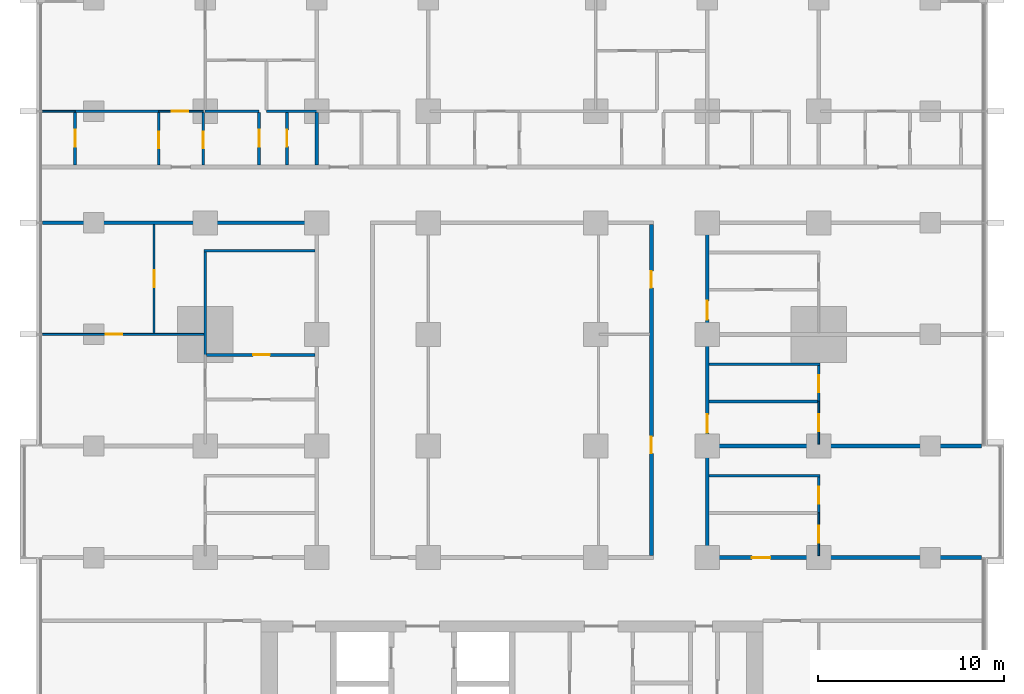
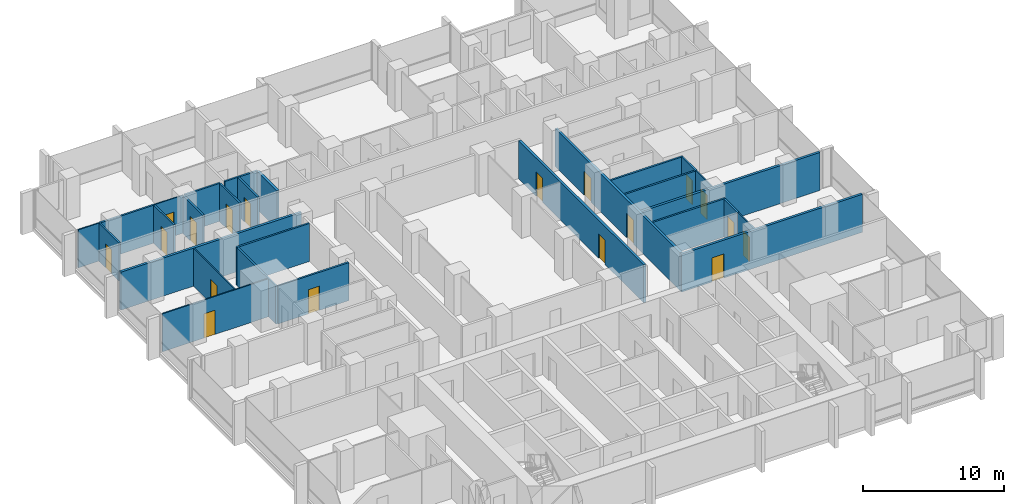
# One storey, part 10 of 18: 28 walls, 18 doors, 18 openings.
"""IFC4 building model written with IfcOpenShell, lengths in metres."""

from ifc_helpers import new_model, si_unit, direction, frame, frame_2d, origin, place, context, subcontext, project, spatial, rectangle, extrude, material, layer, layer_set, type_object, element, fill, save


model = new_model("IFC4")

# Units and contexts
model_context = context("Model", 3, precision=1e-05, world=origin(), true_north=direction((0.0, 1.0)))
body_context = subcontext(model_context, "Body", "Model", "MODEL_VIEW")
ifc_project = project(units=[si_unit("LENGTHUNIT", "METRE"), si_unit("AREAUNIT", "SQUARE_METRE"), si_unit("VOLUMEUNIT", "CUBIC_METRE"), si_unit("PLANEANGLEUNIT", "RADIAN"), si_unit("MASSUNIT", "GRAM", prefix="KILO")], contexts=[model_context])

# Site, building, storey
site_placement = place(None, origin())
site = spatial("IfcSite", under=ifc_project, at=site_placement, CompositionType="ELEMENT")
building_placement = place(site_placement, origin())
building = spatial("IfcBuilding", under=site, at=building_placement, Name="Finial Court Residences", CompositionType="ELEMENT")
storey_placement = place(building_placement, frame((0.0, 0.0, 57.699951171875)))
storey = spatial("IfcBuildingStorey", under=building, at=storey_placement, Name="L13", CompositionType="ELEMENT", Elevation=57.699951171875)

# Walls
ifc_material_1 = material(Name="Gypsum board")
ifc_layer_1 = layer(ifc_material_1, 0.02490234375)
ifc_material_2 = material(Name="Acoustic mineral wool in double frame")
ifc_layer_2 = layer(ifc_material_2, 0.14990234375)
ifc_layer_3 = layer(ifc_material_1, 0.02490234375)
ifc_layer_set_1 = layer_set([ifc_layer_1, ifc_layer_2, ifc_layer_3], Name="Acoustic party wall 200, 1 hour")
wall_type_1 = type_object("IfcWallType", Name="Acoustic party wall 200, 1 hour", PredefinedType="PARTITIONING", material=ifc_layer_set_1)
wall_1_placement = place(storey_placement, frame((10.60009765625, 1.5, 0.0), z_axis=(0.0, 0.0, 1.0), x_axis=(1.0, 0.0, 0.0)))
element("IfcWall", 1, at=wall_1_placement, inside=storey, type_object=wall_type_1, Name="Partition L13-020", PredefinedType="PARTITIONING", context=body_context, shape_type="SweptSolid", body=[
    extrude(rectangle(XDim=14.64990234375, YDim=0.199951171875, at=frame_2d((7.324951171875, 0.0))), origin(), (0.0, 0.0, 1.0), 3.300048828125),
])
wall_2_placement = place(storey_placement, frame((-10.5, 16.60009765625, 0.0), z_axis=(0.0, 0.0, 1.0), x_axis=(0.0, 1.0, 0.0)))
element("IfcWall", 2, at=wall_2_placement, inside=storey, type_object=wall_type_1, Name="Partition L13-074", PredefinedType="PARTITIONING", context=body_context, shape_type="SweptSolid", body=[
    extrude(rectangle(XDim=2.824951171875, YDim=0.199951171875, at=frame_2d((1.41259765625, 0.0))), origin(), (0.0, 0.0, 1.0), 3.300048828125),
])

# Wall, opening, door
ifc_layer_4 = layer(ifc_material_1, 0.02490234375)
ifc_layer_5 = layer(ifc_material_2, 0.14990234375)
ifc_layer_6 = layer(ifc_material_1, 0.02490234375)
ifc_layer_set_2 = layer_set([ifc_layer_4, ifc_layer_5, ifc_layer_6], Name="Corridor wall 200, 1 hour")
wall_type_2 = type_object("IfcWallType", Name="Corridor wall 200, 1 hour", PredefinedType="PARTITIONING", material=ifc_layer_set_2)
wall_3_placement = place(storey_placement, frame((10.39990234375, -4.5, 0.0), z_axis=(0.0, 0.0, 1.0), x_axis=(1.0, 0.0, 0.0)))
wall_3 = element("IfcWall", 3, at=wall_3_placement, inside=storey, type_object=wall_type_2, Name="Partition L13-014", PredefinedType="PARTITIONING", context=body_context, shape_type="SweptSolid", body=[
    extrude(rectangle(XDim=14.85009765625, YDim=0.199951171875, at=frame_2d((7.425048828125, 0.0))), origin(), (0.0, 0.0, 1.0), 3.300048828125),
])
opening_1_placement = place(wall_3_placement, frame((2.5, 0.0, 0.0)))
opening_1 = element("IfcOpeningElement", 4, at=opening_1_placement, cuts=wall_3, Name="Opening L13-D010", PredefinedType="OPENING", context=body_context, shape_type="SweptSolid", body=[
    extrude(rectangle(XDim=1.0, YDim=2.10009765625, at=frame_2d((0.5, 1.050048828125))), frame((0.0, 0.10986328125, 0.0), z_axis=(0.0, -1.0, 0.0), x_axis=(1.0, 0.0, 0.0)), (0.0, 0.0, 1.0), 0.219970703125),
])
ifc_material_3 = material(Name="Timber door leaf in hollow metal frame", Category="wood")
door_type_1 = type_object("IfcDoorType", Name="Fire door set 1000 x 2100, 30 minutes", OperationType="SINGLE_SWING_LEFT", PredefinedType="DOOR", material=ifc_material_3)
door_1_placement = place(opening_1_placement, origin())
door_1 = element("IfcDoor", 5, at=door_1_placement, inside=storey, type_object=door_type_1, Name="Door L13-D010", OperationType="SINGLE_SWING_RIGHT", OverallHeight=2.10009765625, OverallWidth=1.0, PredefinedType="DOOR", context=body_context, shape_type="SweptSolid", body=[
    extrude(rectangle(XDim=1.0, YDim=2.10009765625, at=frame_2d((0.5, 1.050048828125))), frame((0.0, 0.02490234375, 0.0), z_axis=(0.0, -1.0, 0.0), x_axis=(1.0, 0.0, 0.0)), (0.0, 0.0, 1.0), 0.050048828125),
])
fill(opening_1, door_1)

# Wall
wall_4_placement = place(storey_placement, frame((-25.25, 13.5, 0.0), z_axis=(0.0, 0.0, 1.0), x_axis=(1.0, 0.0, 0.0)))
element("IfcWall", 6, at=wall_4_placement, inside=storey, type_object=wall_type_2, Name="Partition L13-031", PredefinedType="PARTITIONING", context=body_context, shape_type="SweptSolid", body=[
    extrude(rectangle(XDim=14.85009765625, YDim=0.199951171875, at=frame_2d((7.425048828125, 0.0))), origin(), (0.0, 0.0, 1.0), 3.300048828125),
])

# Wall, openings, doors
wall_5_placement = place(storey_placement, frame((7.5, -4.39990234375, 0.0), z_axis=(0.0, 0.0, 1.0), x_axis=(0.0, 1.0, 0.0)))
wall_5 = element("IfcWall", 7, at=wall_5_placement, inside=storey, type_object=wall_type_2, Name="Partition L13-086", PredefinedType="PARTITIONING", context=body_context, shape_type="SweptSolid", body=[
    extrude(rectangle(XDim=17.7998046875, YDim=0.199951171875, at=frame_2d((8.89990234375, 0.0))), origin(), (0.0, 0.0, 1.0), 3.300048828125),
])
opening_2_placement = place(wall_5_placement, frame((5.5, 0.0, 0.0)))
opening_2 = element("IfcOpeningElement", 8, at=opening_2_placement, cuts=wall_5, Name="Opening L13-D049", PredefinedType="OPENING", context=body_context, shape_type="SweptSolid", body=[
    extrude(rectangle(XDim=0.89990234375, YDim=2.10009765625, at=frame_2d((0.449951171875, 1.050048828125))), frame((0.0, 0.10986328125, 0.0), z_axis=(0.0, -1.0, 0.0), x_axis=(1.0, 0.0, 0.0)), (0.0, 0.0, 1.0), 0.219970703125),
])
opening_3_placement = place(wall_5_placement, frame((14.39990234375, 0.0, 0.0)))
opening_3 = element("IfcOpeningElement", 9, at=opening_3_placement, cuts=wall_5, Name="Opening L13-D050", PredefinedType="OPENING", context=body_context, shape_type="SweptSolid", body=[
    extrude(rectangle(XDim=0.89990234375, YDim=2.10009765625, at=frame_2d((0.449951171875, 1.050048828125))), frame((0.0, 0.10986328125, 0.0), z_axis=(0.0, -1.0, 0.0), x_axis=(1.0, 0.0, 0.0)), (0.0, 0.0, 1.0), 0.219970703125),
])
door_type_2 = type_object("IfcDoorType", Name="Fire door set 900 x 2100, 30 minutes", OperationType="SINGLE_SWING_LEFT", PredefinedType="DOOR", material=ifc_material_3)
door_2_placement = place(opening_2_placement, origin())
door_2 = element("IfcDoor", 10, at=door_2_placement, inside=storey, type_object=door_type_2, Name="Door L13-D049", OperationType="SINGLE_SWING_RIGHT", OverallHeight=2.10009765625, OverallWidth=0.89990234375, PredefinedType="DOOR", context=body_context, shape_type="SweptSolid", body=[
    extrude(rectangle(XDim=0.89990234375, YDim=2.10009765625, at=frame_2d((0.449951171875, 1.050048828125))), frame((0.0, 0.02490234375, 0.0), z_axis=(0.0, -1.0, 0.0), x_axis=(1.0, 0.0, 0.0)), (0.0, 0.0, 1.0), 0.050048828125),
])
fill(opening_2, door_2)
door_3_placement = place(opening_3_placement, origin())
door_3 = element("IfcDoor", 11, at=door_3_placement, inside=storey, type_object=door_type_2, Name="Door L13-D050", OperationType="SINGLE_SWING_LEFT", OverallHeight=2.10009765625, OverallWidth=0.89990234375, PredefinedType="DOOR", context=body_context, shape_type="SweptSolid", body=[
    extrude(rectangle(XDim=0.89990234375, YDim=2.10009765625, at=frame_2d((0.449951171875, 1.050048828125))), frame((0.0, 0.02490234375, 0.0), z_axis=(0.0, -1.0, 0.0), x_axis=(1.0, 0.0, 0.0)), (0.0, 0.0, 1.0), 0.050048828125),
])
fill(opening_3, door_3)

wall_6_placement = place(storey_placement, frame((10.5, -4.39990234375, 0.0), z_axis=(0.0, 0.0, 1.0), x_axis=(0.0, 1.0, 0.0)))
wall_6 = element("IfcWall", 12, at=wall_6_placement, inside=storey, type_object=wall_type_2, Name="Partition L13-089", PredefinedType="PARTITIONING", context=body_context, shape_type="SweptSolid", body=[
    extrude(rectangle(XDim=17.7998046875, YDim=0.199951171875, at=frame_2d((8.89990234375, 0.0))), origin(), (0.0, 0.0, 1.0), 3.300048828125),
])
opening_4_placement = place(wall_6_placement, frame((6.60009765625, 0.0, 0.0)))
opening_4 = element("IfcOpeningElement", 13, at=opening_4_placement, cuts=wall_6, Name="Opening L13-D052", PredefinedType="OPENING", context=body_context, shape_type="SweptSolid", body=[
    extrude(rectangle(XDim=1.0, YDim=2.10009765625, at=frame_2d((0.5, 1.050048828125))), frame((0.0, 0.10986328125, 0.0), z_axis=(0.0, -1.0, 0.0), x_axis=(1.0, 0.0, 0.0)), (0.0, 0.0, 1.0), 0.219970703125),
])
opening_5_placement = place(wall_6_placement, frame((12.699951171875, 0.0, 0.0)))
opening_5 = element("IfcOpeningElement", 14, at=opening_5_placement, cuts=wall_6, Name="Opening L13-D053", PredefinedType="OPENING", context=body_context, shape_type="SweptSolid", body=[
    extrude(rectangle(XDim=1.0, YDim=2.10009765625, at=frame_2d((0.5, 1.050048828125))), frame((0.0, 0.10986328125, 0.0), z_axis=(0.0, -1.0, 0.0), x_axis=(1.0, 0.0, 0.0)), (0.0, 0.0, 1.0), 0.219970703125),
])
door_4_placement = place(opening_4_placement, origin())
door_4 = element("IfcDoor", 15, at=door_4_placement, inside=storey, type_object=door_type_1, Name="Door L13-D052", OperationType="SINGLE_SWING_LEFT", OverallHeight=2.10009765625, OverallWidth=1.0, PredefinedType="DOOR", context=body_context, shape_type="SweptSolid", body=[
    extrude(rectangle(XDim=1.0, YDim=2.10009765625, at=frame_2d((0.5, 1.050048828125))), frame((0.0, 0.02490234375, 0.0), z_axis=(0.0, -1.0, 0.0), x_axis=(1.0, 0.0, 0.0)), (0.0, 0.0, 1.0), 0.050048828125),
])
fill(opening_4, door_4)
door_5_placement = place(opening_5_placement, origin())
door_5 = element("IfcDoor", 16, at=door_5_placement, inside=storey, type_object=door_type_1, Name="Door L13-D053", OperationType="SINGLE_SWING_RIGHT", OverallHeight=2.10009765625, OverallWidth=1.0, PredefinedType="DOOR", context=body_context, shape_type="SweptSolid", body=[
    extrude(rectangle(XDim=1.0, YDim=2.10009765625, at=frame_2d((0.5, 1.050048828125))), frame((0.0, 0.02490234375, 0.0), z_axis=(0.0, -1.0, 0.0), x_axis=(1.0, 0.0, 0.0)), (0.0, 0.0, 1.0), 0.050048828125),
])
fill(opening_5, door_5)

# Wall, opening, door
ifc_layer_7 = layer(ifc_material_1, 0.012451171875)
ifc_material_4 = material(Name="Mineral wool in light-gauge frame")
ifc_layer_8 = layer(ifc_material_4, 0.074951171875)
ifc_layer_9 = layer(ifc_material_1, 0.012451171875)
ifc_layer_set_3 = layer_set([ifc_layer_7, ifc_layer_8, ifc_layer_9], Name="Gypsum board partition 100")
wall_type_3 = type_object("IfcWallType", Name="Gypsum board partition 100", PredefinedType="PARTITIONING", material=ifc_layer_set_3)
wall_7_placement = place(storey_placement, frame((-25.25, 7.5, 0.0), z_axis=(0.0, 0.0, 1.0), x_axis=(1.0, 0.0, 0.0)))
wall_7 = element("IfcWall", 17, at=wall_7_placement, inside=storey, type_object=wall_type_3, Name="Partition L13-025", PredefinedType="PARTITIONING", context=body_context, shape_type="SweptSolid", body=[
    extrude(rectangle(XDim=8.675048828125, YDim=0.10009765625, at=frame_2d((4.33740234375, 0.0))), origin(), (0.0, 0.0, 1.0), 3.300048828125),
])
opening_6_placement = place(wall_7_placement, frame((3.39990234375, 0.0, 0.0)))
opening_6 = element("IfcOpeningElement", 18, at=opening_6_placement, cuts=wall_7, Name="Opening L13-D013", PredefinedType="OPENING", context=body_context, shape_type="SweptSolid", body=[
    extrude(rectangle(XDim=0.89990234375, YDim=2.10009765625, at=frame_2d((0.449951171875, 1.050048828125))), frame((0.0, 0.06005859375, 0.0), z_axis=(0.0, -1.0, 0.0), x_axis=(1.0, 0.0, 0.0)), (0.0, 0.0, 1.0), 0.1201171875),
])
ifc_material_5 = material(Name="Timber door leaf in timber frame", Category="wood")
door_type_3 = type_object("IfcDoorType", Name="Door set 900 x 2100", OperationType="SINGLE_SWING_LEFT", PredefinedType="DOOR", material=ifc_material_5)
door_6_placement = place(opening_6_placement, origin())
door_6 = element("IfcDoor", 19, at=door_6_placement, inside=storey, type_object=door_type_3, Name="Door L13-D013", OperationType="SINGLE_SWING_RIGHT", OverallHeight=2.10009765625, OverallWidth=0.89990234375, PredefinedType="DOOR", context=body_context, shape_type="SweptSolid", body=[
    extrude(rectangle(XDim=0.89990234375, YDim=2.10009765625, at=frame_2d((0.449951171875, 1.050048828125))), frame((0.0, 0.02490234375, 0.0), z_axis=(0.0, -1.0, 0.0), x_axis=(1.0, 0.0, 0.0)), (0.0, 0.0, 1.0), 0.050048828125),
])
fill(opening_6, door_6)

# Wall
wall_8_placement = place(storey_placement, frame((-25.25, 19.5, 0.0), z_axis=(0.0, 0.0, 1.0), x_axis=(1.0, 0.0, 0.0)))
element("IfcWall", 20, at=wall_8_placement, inside=storey, type_object=wall_type_3, Name="Partition L13-035", PredefinedType="PARTITIONING", context=body_context, shape_type="SweptSolid", body=[
    extrude(rectangle(XDim=1.75, YDim=0.10009765625, at=frame_2d((0.875, 0.0))), origin(), (0.0, 0.0, 1.0), 3.300048828125),
])

# Wall, opening, door
wall_9_placement = place(storey_placement, frame((-19.0, 19.5, 0.0), z_axis=(0.0, 0.0, 1.0), x_axis=(1.0, 0.0, 0.0)))
wall_9 = element("IfcWall", 21, at=wall_9_placement, inside=storey, type_object=wall_type_3, Name="Partition L13-036", PredefinedType="PARTITIONING", context=body_context, shape_type="SweptSolid", body=[
    extrude(rectangle(XDim=2.39990234375, YDim=0.10009765625, at=frame_2d((1.199951171875, 0.0))), origin(), (0.0, 0.0, 1.0), 3.300048828125),
])
opening_7_placement = place(wall_9_placement, frame((0.699951171875, 0.0, 0.0)))
opening_7 = element("IfcOpeningElement", 22, at=opening_7_placement, cuts=wall_9, Name="Opening L13-D020", PredefinedType="OPENING", context=body_context, shape_type="SweptSolid", body=[
    extrude(rectangle(XDim=0.89990234375, YDim=2.10009765625, at=frame_2d((0.449951171875, 1.050048828125))), frame((0.0, 0.06005859375, 0.0), z_axis=(0.0, -1.0, 0.0), x_axis=(1.0, 0.0, 0.0)), (0.0, 0.0, 1.0), 0.1201171875),
])
door_7_placement = place(opening_7_placement, origin())
door_7 = element("IfcDoor", 23, at=door_7_placement, inside=storey, type_object=door_type_3, Name="Door L13-D020", OperationType="SINGLE_SWING_RIGHT", OverallHeight=2.10009765625, OverallWidth=0.89990234375, PredefinedType="DOOR", context=body_context, shape_type="SweptSolid", body=[
    extrude(rectangle(XDim=0.89990234375, YDim=2.10009765625, at=frame_2d((0.449951171875, 1.050048828125))), frame((0.0, 0.02490234375, 0.0), z_axis=(0.0, -1.0, 0.0), x_axis=(1.0, 0.0, 0.0)), (0.0, 0.0, 1.0), 0.050048828125),
])
fill(opening_7, door_7)

wall_10_placement = place(storey_placement, frame((-19.25, 7.550048828125, 0.0), z_axis=(0.0, 0.0, 1.0), x_axis=(0.0, 1.0, 0.0)))
wall_10 = element("IfcWall", 24, at=wall_10_placement, inside=storey, type_object=wall_type_3, Name="Partition L13-056", PredefinedType="PARTITIONING", context=body_context, shape_type="SweptSolid", body=[
    extrude(rectangle(XDim=5.849853515625, YDim=0.10009765625, at=frame_2d((2.9248046875, 0.0))), origin(), (0.0, 0.0, 1.0), 3.300048828125),
])
opening_8_placement = place(wall_10_placement, frame((2.5, 0.0, 0.0)))
opening_8 = element("IfcOpeningElement", 25, at=opening_8_placement, cuts=wall_10, Name="Opening L13-D032", PredefinedType="OPENING", context=body_context, shape_type="SweptSolid", body=[
    extrude(rectangle(XDim=0.89990234375, YDim=2.10009765625, at=frame_2d((0.449951171875, 1.050048828125))), frame((0.0, 0.06005859375, 0.0), z_axis=(0.0, -1.0, 0.0), x_axis=(1.0, 0.0, 0.0)), (0.0, 0.0, 1.0), 0.1201171875),
])
door_8_placement = place(opening_8_placement, origin())
door_8 = element("IfcDoor", 26, at=door_8_placement, inside=storey, type_object=door_type_3, Name="Door L13-D032", OperationType="SINGLE_SWING_LEFT", OverallHeight=2.10009765625, OverallWidth=0.89990234375, PredefinedType="DOOR", context=body_context, shape_type="SweptSolid", body=[
    extrude(rectangle(XDim=0.89990234375, YDim=2.10009765625, at=frame_2d((0.449951171875, 1.050048828125))), frame((0.0, 0.02490234375, 0.0), z_axis=(0.0, -1.0, 0.0), x_axis=(1.0, 0.0, 0.0)), (0.0, 0.0, 1.0), 0.050048828125),
])
fill(opening_8, door_8)

wall_11_placement = place(storey_placement, frame((16.5, -4.39990234375, 0.0), z_axis=(0.0, 0.0, 1.0), x_axis=(0.0, 1.0, 0.0)))
wall_11 = element("IfcWall", 27, at=wall_11_placement, inside=storey, type_object=wall_type_3, Name="Partition L13-096", PredefinedType="PARTITIONING", context=body_context, shape_type="SweptSolid", body=[
    extrude(rectangle(XDim=2.2998046875, YDim=0.10009765625, at=frame_2d((1.14990234375, 0.0))), origin(), (0.0, 0.0, 1.0), 3.300048828125),
])
opening_9_placement = place(wall_11_placement, frame((0.699951171875, 0.0, 0.0)))
opening_9 = element("IfcOpeningElement", 28, at=opening_9_placement, cuts=wall_11, Name="Opening L13-D056", PredefinedType="OPENING", context=body_context, shape_type="SweptSolid", body=[
    extrude(rectangle(XDim=0.89990234375, YDim=2.10009765625, at=frame_2d((0.449951171875, 1.050048828125))), frame((0.0, 0.06005859375, 0.0), z_axis=(0.0, -1.0, 0.0), x_axis=(1.0, 0.0, 0.0)), (0.0, 0.0, 1.0), 0.1201171875),
])
door_9_placement = place(opening_9_placement, origin())
door_9 = element("IfcDoor", 29, at=door_9_placement, inside=storey, type_object=door_type_3, Name="Door L13-D056", OperationType="SINGLE_SWING_RIGHT", OverallHeight=2.10009765625, OverallWidth=0.89990234375, PredefinedType="DOOR", context=body_context, shape_type="SweptSolid", body=[
    extrude(rectangle(XDim=0.89990234375, YDim=2.10009765625, at=frame_2d((0.449951171875, 1.050048828125))), frame((0.0, 0.02490234375, 0.0), z_axis=(0.0, -1.0, 0.0), x_axis=(1.0, 0.0, 0.0)), (0.0, 0.0, 1.0), 0.050048828125),
])
fill(opening_9, door_9)

wall_12_placement = place(storey_placement, frame((16.5, 1.60009765625, 0.0), z_axis=(0.0, 0.0, 1.0), x_axis=(0.0, 1.0, 0.0)))
wall_12 = element("IfcWall", 30, at=wall_12_placement, inside=storey, type_object=wall_type_3, Name="Partition L13-097", PredefinedType="PARTITIONING", context=body_context, shape_type="SweptSolid", body=[
    extrude(rectangle(XDim=2.2998046875, YDim=0.10009765625, at=frame_2d((1.14990234375, 0.0))), origin(), (0.0, 0.0, 1.0), 3.300048828125),
])
opening_10_placement = place(wall_12_placement, frame((0.699951171875, 0.0, 0.0)))
opening_10 = element("IfcOpeningElement", 31, at=opening_10_placement, cuts=wall_12, Name="Opening L13-D057", PredefinedType="OPENING", context=body_context, shape_type="SweptSolid", body=[
    extrude(rectangle(XDim=0.89990234375, YDim=2.10009765625, at=frame_2d((0.449951171875, 1.050048828125))), frame((0.0, 0.06005859375, 0.0), z_axis=(0.0, -1.0, 0.0), x_axis=(1.0, 0.0, 0.0)), (0.0, 0.0, 1.0), 0.1201171875),
])
door_10_placement = place(opening_10_placement, origin())
door_10 = element("IfcDoor", 32, at=door_10_placement, inside=storey, type_object=door_type_3, Name="Door L13-D057", OperationType="SINGLE_SWING_RIGHT", OverallHeight=2.10009765625, OverallWidth=0.89990234375, PredefinedType="DOOR", context=body_context, shape_type="SweptSolid", body=[
    extrude(rectangle(XDim=0.89990234375, YDim=2.10009765625, at=frame_2d((0.449951171875, 1.050048828125))), frame((0.0, 0.02490234375, 0.0), z_axis=(0.0, -1.0, 0.0), x_axis=(1.0, 0.0, 0.0)), (0.0, 0.0, 1.0), 0.050048828125),
])
fill(opening_10, door_10)

# Walls
ifc_material_6 = material(Name="Moisture-resistant gypsum board")
ifc_layer_10 = layer(ifc_material_6, 0.012451171875)
ifc_layer_11 = layer(ifc_material_4, 0.125)
ifc_layer_12 = layer(ifc_material_6, 0.012451171875)
ifc_layer_set_4 = layer_set([ifc_layer_10, ifc_layer_11, ifc_layer_12], Name="Gypsum board wet-area partition 150")
wall_type_4 = type_object("IfcWallType", Name="Gypsum board wet-area partition 150", PredefinedType="PARTITIONING", material=ifc_layer_set_4)
wall_13_placement = place(storey_placement, frame((10.60009765625, -0.10009765625, 0.0), z_axis=(0.0, 0.0, 1.0), x_axis=(1.0, 0.0, 0.0)))
element("IfcWall", 33, at=wall_13_placement, inside=storey, type_object=wall_type_4, Name="Partition L13-018", PredefinedType="PARTITIONING", context=body_context, shape_type="SweptSolid", body=[
    extrude(rectangle(XDim=5.974853515625, YDim=0.14990234375, at=frame_2d((2.9873046875, 0.0))), origin(), (0.0, 0.0, 1.0), 3.300048828125),
])
wall_14_placement = place(storey_placement, frame((10.60009765625, 3.89990234375, 0.0), z_axis=(0.0, 0.0, 1.0), x_axis=(1.0, 0.0, 0.0)))
element("IfcWall", 34, at=wall_14_placement, inside=storey, type_object=wall_type_4, Name="Partition L13-021", PredefinedType="PARTITIONING", context=body_context, shape_type="SweptSolid", body=[
    extrude(rectangle(XDim=5.824951171875, YDim=0.14990234375, at=frame_2d((2.91259765625, 0.0))), origin(), (0.0, 0.0, 1.0), 3.300048828125),
])
wall_15_placement = place(storey_placement, frame((10.60009765625, 5.89990234375, 0.0), z_axis=(0.0, 0.0, 1.0), x_axis=(1.0, 0.0, 0.0)))
element("IfcWall", 35, at=wall_15_placement, inside=storey, type_object=wall_type_4, Name="Partition L13-023", PredefinedType="PARTITIONING", context=body_context, shape_type="SweptSolid", body=[
    extrude(rectangle(XDim=5.974853515625, YDim=0.14990234375, at=frame_2d((2.9873046875, 0.0))), origin(), (0.0, 0.0, 1.0), 3.300048828125),
])

# Wall, opening, door
wall_16_placement = place(storey_placement, frame((-16.425048828125, 6.39990234375, 0.0), z_axis=(0.0, 0.0, 1.0), x_axis=(1.0, 0.0, 0.0)))
wall_16 = element("IfcWall", 36, at=wall_16_placement, inside=storey, type_object=wall_type_4, Name="Partition L13-024", PredefinedType="PARTITIONING", context=body_context, shape_type="SweptSolid", body=[
    extrude(rectangle(XDim=5.824951171875, YDim=0.14990234375, at=frame_2d((2.91259765625, 0.0))), origin(), (0.0, 0.0, 1.0), 3.300048828125),
])
opening_11_placement = place(wall_16_placement, frame((2.5, 0.0, 0.0)))
opening_11 = element("IfcOpeningElement", 37, at=opening_11_placement, cuts=wall_16, Name="Opening L13-D012", PredefinedType="OPENING", context=body_context, shape_type="SweptSolid", body=[
    extrude(rectangle(XDim=0.89990234375, YDim=2.10009765625, at=frame_2d((0.449951171875, 1.050048828125))), frame((0.0, 0.0849609375, 0.0), z_axis=(0.0, -1.0, 0.0), x_axis=(1.0, 0.0, 0.0)), (0.0, 0.0, 1.0), 0.169921875),
])
door_11_placement = place(opening_11_placement, origin())
door_11 = element("IfcDoor", 38, at=door_11_placement, inside=storey, type_object=door_type_3, Name="Door L13-D012", OperationType="SINGLE_SWING_RIGHT", OverallHeight=2.10009765625, OverallWidth=0.89990234375, PredefinedType="DOOR", context=body_context, shape_type="SweptSolid", body=[
    extrude(rectangle(XDim=0.89990234375, YDim=2.10009765625, at=frame_2d((0.449951171875, 1.050048828125))), frame((0.0, 0.02490234375, 0.0), z_axis=(0.0, -1.0, 0.0), x_axis=(1.0, 0.0, 0.0)), (0.0, 0.0, 1.0), 0.050048828125),
])
fill(opening_11, door_11)

# Walls
wall_17_placement = place(storey_placement, frame((-16.574951171875, 12.0, 0.0), z_axis=(0.0, 0.0, 1.0), x_axis=(1.0, 0.0, 0.0)))
element("IfcWall", 39, at=wall_17_placement, inside=storey, type_object=wall_type_4, Name="Partition L13-030", PredefinedType="PARTITIONING", context=body_context, shape_type="SweptSolid", body=[
    extrude(rectangle(XDim=5.974853515625, YDim=0.14990234375, at=frame_2d((2.9873046875, 0.0))), origin(), (0.0, 0.0, 1.0), 3.300048828125),
])
wall_18_placement = place(storey_placement, frame((-23.5, 19.5, 0.0), z_axis=(0.0, 0.0, 1.0), x_axis=(1.0, 0.0, 0.0)))
element("IfcWall", 40, at=wall_18_placement, inside=storey, type_object=wall_type_4, Name="Partition L13-041", PredefinedType="PARTITIONING", context=body_context, shape_type="SweptSolid", body=[
    extrude(rectangle(XDim=4.5, YDim=0.14990234375, at=frame_2d((2.25, 0.0))), origin(), (0.0, 0.0, 1.0), 3.300048828125),
])
wall_19_placement = place(storey_placement, frame((-16.5, 19.5, 0.0), z_axis=(0.0, 0.0, 1.0), x_axis=(1.0, 0.0, 0.0)))
element("IfcWall", 41, at=wall_19_placement, inside=storey, type_object=wall_type_4, Name="Partition L13-042", PredefinedType="PARTITIONING", context=body_context, shape_type="SweptSolid", body=[
    extrude(rectangle(XDim=2.89990234375, YDim=0.14990234375, at=frame_2d((1.449951171875, 0.0))), origin(), (0.0, 0.0, 1.0), 3.300048828125),
])
wall_20_placement = place(storey_placement, frame((-13.199951171875, 19.5, 0.0), z_axis=(0.0, 0.0, 1.0), x_axis=(1.0, 0.0, 0.0)))
element("IfcWall", 42, at=wall_20_placement, inside=storey, type_object=wall_type_4, Name="Partition L13-043", PredefinedType="PARTITIONING", context=body_context, shape_type="SweptSolid", body=[
    extrude(rectangle(XDim=2.699951171875, YDim=0.14990234375, at=frame_2d((1.35009765625, 0.0))), origin(), (0.0, 0.0, 1.0), 3.300048828125),
])

# Wall, opening, door
wall_21_placement = place(storey_placement, frame((-23.5, 16.60009765625, 0.0), z_axis=(0.0, 0.0, 1.0), x_axis=(0.0, 1.0, 0.0)))
wall_21 = element("IfcWall", 43, at=wall_21_placement, inside=storey, type_object=wall_type_4, Name="Partition L13-055", PredefinedType="PARTITIONING", context=body_context, shape_type="SweptSolid", body=[
    extrude(rectangle(XDim=2.824951171875, YDim=0.14990234375, at=frame_2d((1.41259765625, 0.0))), origin(), (0.0, 0.0, 1.0), 3.300048828125),
])
opening_12_placement = place(wall_21_placement, frame((1.0, 0.0, 0.0)))
opening_12 = element("IfcOpeningElement", 44, at=opening_12_placement, cuts=wall_21, Name="Opening L13-D031", PredefinedType="OPENING", context=body_context, shape_type="SweptSolid", body=[
    extrude(rectangle(XDim=0.89990234375, YDim=2.10009765625, at=frame_2d((0.449951171875, 1.050048828125))), frame((0.0, 0.0849609375, 0.0), z_axis=(0.0, -1.0, 0.0), x_axis=(1.0, 0.0, 0.0)), (0.0, 0.0, 1.0), 0.169921875),
])
door_12_placement = place(opening_12_placement, origin())
door_12 = element("IfcDoor", 45, at=door_12_placement, inside=storey, type_object=door_type_3, Name="Door L13-D031", OperationType="SINGLE_SWING_RIGHT", OverallHeight=2.10009765625, OverallWidth=0.89990234375, PredefinedType="DOOR", context=body_context, shape_type="SweptSolid", body=[
    extrude(rectangle(XDim=0.89990234375, YDim=2.10009765625, at=frame_2d((0.449951171875, 1.050048828125))), frame((0.0, 0.02490234375, 0.0), z_axis=(0.0, -1.0, 0.0), x_axis=(1.0, 0.0, 0.0)), (0.0, 0.0, 1.0), 0.050048828125),
])
fill(opening_12, door_12)

wall_22_placement = place(storey_placement, frame((-19.0, 16.60009765625, 0.0), z_axis=(0.0, 0.0, 1.0), x_axis=(0.0, 1.0, 0.0)))
wall_22 = element("IfcWall", 46, at=wall_22_placement, inside=storey, type_object=wall_type_4, Name="Partition L13-058", PredefinedType="PARTITIONING", context=body_context, shape_type="SweptSolid", body=[
    extrude(rectangle(XDim=2.824951171875, YDim=0.14990234375, at=frame_2d((1.41259765625, 0.0))), origin(), (0.0, 0.0, 1.0), 3.300048828125),
])
opening_13_placement = place(wall_22_placement, frame((0.89990234375, 0.0, 0.0)))
opening_13 = element("IfcOpeningElement", 47, at=opening_13_placement, cuts=wall_22, Name="Opening L13-D033", PredefinedType="OPENING", context=body_context, shape_type="SweptSolid", body=[
    extrude(rectangle(XDim=0.89990234375, YDim=2.10009765625, at=frame_2d((0.449951171875, 1.050048828125))), frame((0.0, 0.0849609375, 0.0), z_axis=(0.0, -1.0, 0.0), x_axis=(1.0, 0.0, 0.0)), (0.0, 0.0, 1.0), 0.169921875),
])
door_13_placement = place(opening_13_placement, origin())
door_13 = element("IfcDoor", 48, at=door_13_placement, inside=storey, type_object=door_type_3, Name="Door L13-D033", OperationType="SINGLE_SWING_LEFT", OverallHeight=2.10009765625, OverallWidth=0.89990234375, PredefinedType="DOOR", context=body_context, shape_type="SweptSolid", body=[
    extrude(rectangle(XDim=0.89990234375, YDim=2.10009765625, at=frame_2d((0.449951171875, 1.050048828125))), frame((0.0, 0.02490234375, 0.0), z_axis=(0.0, -1.0, 0.0), x_axis=(1.0, 0.0, 0.0)), (0.0, 0.0, 1.0), 0.050048828125),
])
fill(opening_13, door_13)

wall_23_placement = place(storey_placement, frame((-16.60009765625, 16.60009765625, 0.0), z_axis=(0.0, 0.0, 1.0), x_axis=(0.0, 1.0, 0.0)))
wall_23 = element("IfcWall", 49, at=wall_23_placement, inside=storey, type_object=wall_type_4, Name="Partition L13-059", PredefinedType="PARTITIONING", context=body_context, shape_type="SweptSolid", body=[
    extrude(rectangle(XDim=2.824951171875, YDim=0.14990234375, at=frame_2d((1.41259765625, 0.0))), origin(), (0.0, 0.0, 1.0), 3.300048828125),
])
opening_14_placement = place(wall_23_placement, frame((0.89990234375, 0.0, 0.0)))
opening_14 = element("IfcOpeningElement", 50, at=opening_14_placement, cuts=wall_23, Name="Opening L13-D034", PredefinedType="OPENING", context=body_context, shape_type="SweptSolid", body=[
    extrude(rectangle(XDim=0.89990234375, YDim=2.10009765625, at=frame_2d((0.449951171875, 1.050048828125))), frame((0.0, 0.0849609375, 0.0), z_axis=(0.0, -1.0, 0.0), x_axis=(1.0, 0.0, 0.0)), (0.0, 0.0, 1.0), 0.169921875),
])
door_14_placement = place(opening_14_placement, origin())
door_14 = element("IfcDoor", 51, at=door_14_placement, inside=storey, type_object=door_type_3, Name="Door L13-D034", OperationType="SINGLE_SWING_RIGHT", OverallHeight=2.10009765625, OverallWidth=0.89990234375, PredefinedType="DOOR", context=body_context, shape_type="SweptSolid", body=[
    extrude(rectangle(XDim=0.89990234375, YDim=2.10009765625, at=frame_2d((0.449951171875, 1.050048828125))), frame((0.0, 0.02490234375, 0.0), z_axis=(0.0, -1.0, 0.0), x_axis=(1.0, 0.0, 0.0)), (0.0, 0.0, 1.0), 0.050048828125),
])
fill(opening_14, door_14)

# Wall
wall_24_placement = place(storey_placement, frame((-16.5, 6.39990234375, 0.0), z_axis=(0.0, 0.0, 1.0), x_axis=(0.0, 1.0, 0.0)))
element("IfcWall", 52, at=wall_24_placement, inside=storey, type_object=wall_type_4, Name="Partition L13-069", PredefinedType="PARTITIONING", context=body_context, shape_type="SweptSolid", body=[
    extrude(rectangle(XDim=5.525146484375, YDim=0.14990234375, at=frame_2d((2.7626953125, 0.0))), origin(), (0.0, 0.0, 1.0), 3.300048828125),
])

# Wall, opening, door
wall_25_placement = place(storey_placement, frame((-13.60009765625, 16.60009765625, 0.0), z_axis=(0.0, 0.0, 1.0), x_axis=(0.0, 1.0, 0.0)))
wall_25 = element("IfcWall", 53, at=wall_25_placement, inside=storey, type_object=wall_type_4, Name="Partition L13-070", PredefinedType="PARTITIONING", context=body_context, shape_type="SweptSolid", body=[
    extrude(rectangle(XDim=2.824951171875, YDim=0.14990234375, at=frame_2d((1.41259765625, 0.0))), origin(), (0.0, 0.0, 1.0), 3.300048828125),
])
opening_15_placement = place(wall_25_placement, frame((1.0, 0.0, 0.0)))
opening_15 = element("IfcOpeningElement", 54, at=opening_15_placement, cuts=wall_25, Name="Opening L13-D042", PredefinedType="OPENING", context=body_context, shape_type="SweptSolid", body=[
    extrude(rectangle(XDim=0.89990234375, YDim=2.10009765625, at=frame_2d((0.449951171875, 1.050048828125))), frame((0.0, 0.0849609375, 0.0), z_axis=(0.0, -1.0, 0.0), x_axis=(1.0, 0.0, 0.0)), (0.0, 0.0, 1.0), 0.169921875),
])
door_15_placement = place(opening_15_placement, origin())
door_15 = element("IfcDoor", 55, at=door_15_placement, inside=storey, type_object=door_type_3, Name="Door L13-D042", OperationType="SINGLE_SWING_RIGHT", OverallHeight=2.10009765625, OverallWidth=0.89990234375, PredefinedType="DOOR", context=body_context, shape_type="SweptSolid", body=[
    extrude(rectangle(XDim=0.89990234375, YDim=2.10009765625, at=frame_2d((0.449951171875, 1.050048828125))), frame((0.0, 0.02490234375, 0.0), z_axis=(0.0, -1.0, 0.0), x_axis=(1.0, 0.0, 0.0)), (0.0, 0.0, 1.0), 0.050048828125),
])
fill(opening_15, door_15)

wall_26_placement = place(storey_placement, frame((-12.10009765625, 16.60009765625, 0.0), z_axis=(0.0, 0.0, 1.0), x_axis=(0.0, 1.0, 0.0)))
wall_26 = element("IfcWall", 56, at=wall_26_placement, inside=storey, type_object=wall_type_4, Name="Partition L13-072", PredefinedType="PARTITIONING", context=body_context, shape_type="SweptSolid", body=[
    extrude(rectangle(XDim=2.824951171875, YDim=0.14990234375, at=frame_2d((1.41259765625, 0.0))), origin(), (0.0, 0.0, 1.0), 3.300048828125),
])
opening_16_placement = place(wall_26_placement, frame((1.0, 0.0, 0.0)))
opening_16 = element("IfcOpeningElement", 57, at=opening_16_placement, cuts=wall_26, Name="Opening L13-D043", PredefinedType="OPENING", context=body_context, shape_type="SweptSolid", body=[
    extrude(rectangle(XDim=0.89990234375, YDim=2.10009765625, at=frame_2d((0.449951171875, 1.050048828125))), frame((0.0, 0.0849609375, 0.0), z_axis=(0.0, -1.0, 0.0), x_axis=(1.0, 0.0, 0.0)), (0.0, 0.0, 1.0), 0.169921875),
])
door_16_placement = place(opening_16_placement, origin())
door_16 = element("IfcDoor", 58, at=door_16_placement, inside=storey, type_object=door_type_3, Name="Door L13-D043", OperationType="SINGLE_SWING_RIGHT", OverallHeight=2.10009765625, OverallWidth=0.89990234375, PredefinedType="DOOR", context=body_context, shape_type="SweptSolid", body=[
    extrude(rectangle(XDim=0.89990234375, YDim=2.10009765625, at=frame_2d((0.449951171875, 1.050048828125))), frame((0.0, 0.02490234375, 0.0), z_axis=(0.0, -1.0, 0.0), x_axis=(1.0, 0.0, 0.0)), (0.0, 0.0, 1.0), 0.050048828125),
])
fill(opening_16, door_16)

wall_27_placement = place(storey_placement, frame((16.5, -2.10009765625, 0.0), z_axis=(0.0, 0.0, 1.0), x_axis=(0.0, 1.0, 0.0)))
wall_27 = element("IfcWall", 59, at=wall_27_placement, inside=storey, type_object=wall_type_4, Name="Partition L13-102", PredefinedType="PARTITIONING", context=body_context, shape_type="SweptSolid", body=[
    extrude(rectangle(XDim=1.925048828125, YDim=0.14990234375, at=frame_2d((0.96240234375, 0.0))), origin(), (0.0, 0.0, 1.0), 3.300048828125),
])
opening_17_placement = place(wall_27_placement, frame((0.5, 0.0, 0.0)))
opening_17 = element("IfcOpeningElement", 60, at=opening_17_placement, cuts=wall_27, Name="Opening L13-D059", PredefinedType="OPENING", context=body_context, shape_type="SweptSolid", body=[
    extrude(rectangle(XDim=0.89990234375, YDim=2.10009765625, at=frame_2d((0.449951171875, 1.050048828125))), frame((0.0, 0.0849609375, 0.0), z_axis=(0.0, -1.0, 0.0), x_axis=(1.0, 0.0, 0.0)), (0.0, 0.0, 1.0), 0.169921875),
])
door_17_placement = place(opening_17_placement, origin())
door_17 = element("IfcDoor", 61, at=door_17_placement, inside=storey, type_object=door_type_3, Name="Door L13-D059", OperationType="SINGLE_SWING_LEFT", OverallHeight=2.10009765625, OverallWidth=0.89990234375, PredefinedType="DOOR", context=body_context, shape_type="SweptSolid", body=[
    extrude(rectangle(XDim=0.89990234375, YDim=2.10009765625, at=frame_2d((0.449951171875, 1.050048828125))), frame((0.0, 0.02490234375, 0.0), z_axis=(0.0, -1.0, 0.0), x_axis=(1.0, 0.0, 0.0)), (0.0, 0.0, 1.0), 0.050048828125),
])
fill(opening_17, door_17)

wall_28_placement = place(storey_placement, frame((16.5, 3.89990234375, 0.0), z_axis=(0.0, 0.0, 1.0), x_axis=(0.0, 1.0, 0.0)))
wall_28 = element("IfcWall", 62, at=wall_28_placement, inside=storey, type_object=wall_type_4, Name="Partition L13-103", PredefinedType="PARTITIONING", context=body_context, shape_type="SweptSolid", body=[
    extrude(rectangle(XDim=1.925048828125, YDim=0.14990234375, at=frame_2d((0.96240234375, 0.0))), origin(), (0.0, 0.0, 1.0), 3.300048828125),
])
opening_18_placement = place(wall_28_placement, frame((0.5, 0.0, 0.0)))
opening_18 = element("IfcOpeningElement", 63, at=opening_18_placement, cuts=wall_28, Name="Opening L13-D060", PredefinedType="OPENING", context=body_context, shape_type="SweptSolid", body=[
    extrude(rectangle(XDim=0.89990234375, YDim=2.10009765625, at=frame_2d((0.449951171875, 1.050048828125))), frame((0.0, 0.0849609375, 0.0), z_axis=(0.0, -1.0, 0.0), x_axis=(1.0, 0.0, 0.0)), (0.0, 0.0, 1.0), 0.169921875),
])
door_18_placement = place(opening_18_placement, origin())
door_18 = element("IfcDoor", 64, at=door_18_placement, inside=storey, type_object=door_type_3, Name="Door L13-D060", OperationType="SINGLE_SWING_RIGHT", OverallHeight=2.10009765625, OverallWidth=0.89990234375, PredefinedType="DOOR", context=body_context, shape_type="SweptSolid", body=[
    extrude(rectangle(XDim=0.89990234375, YDim=2.10009765625, at=frame_2d((0.449951171875, 1.050048828125))), frame((0.0, 0.02490234375, 0.0), z_axis=(0.0, -1.0, 0.0), x_axis=(1.0, 0.0, 0.0)), (0.0, 0.0, 1.0), 0.050048828125),
])
fill(opening_18, door_18)

save(model, "model.ifc")
